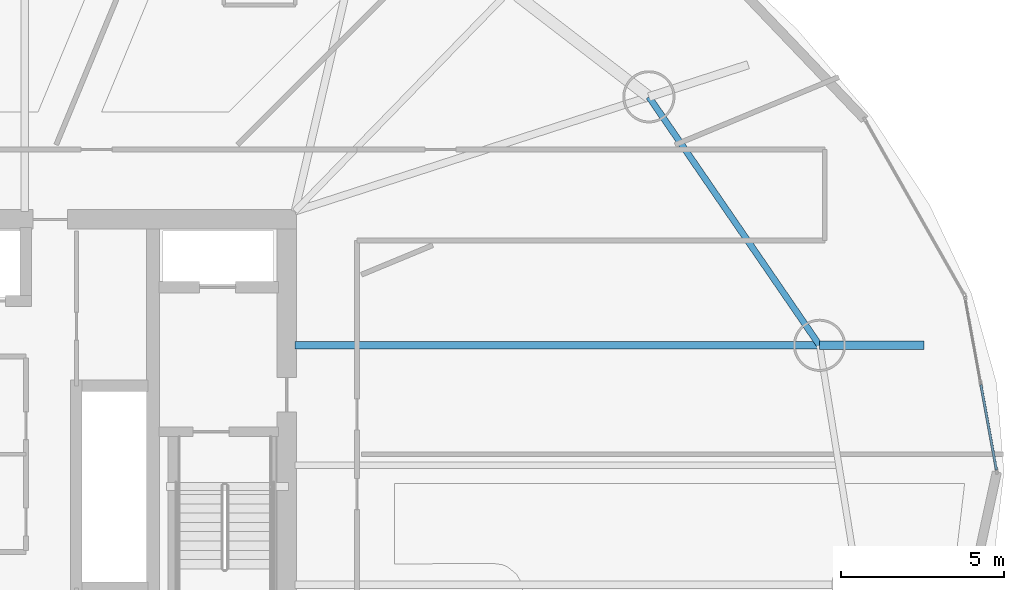
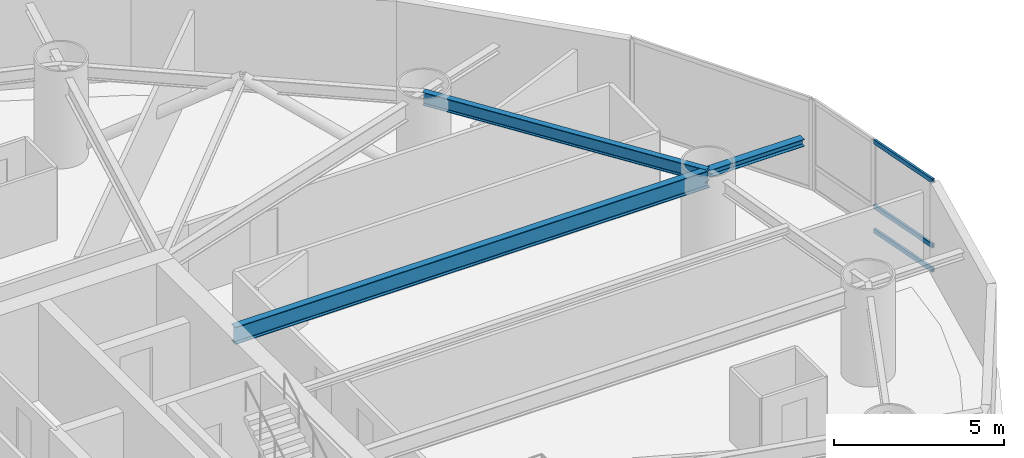
# One storey, part 12 of 27: 3 beams, 3 members, 1 element without a shape of its own.
"""IFC4 building model written with IfcOpenShell, lengths in metres."""

from ifc_helpers import new_model, si_unit, direction, frame, origin, origin_2d, place, context, subcontext, project, spatial, hollow_rectangle, i_section, extrude, material, layer, layer_set, material_profile, profile_set, type_object, element, aggregate, save


model = new_model("IFC4")

# Units and contexts
model_context = context("Model", 3, precision=1e-05, world=origin(), true_north=direction((0.0, 1.0)))
body_context = subcontext(model_context, "Body", "Model", "MODEL_VIEW")
ifc_project = project(units=[si_unit("LENGTHUNIT", "METRE"), si_unit("AREAUNIT", "SQUARE_METRE"), si_unit("VOLUMEUNIT", "CUBIC_METRE"), si_unit("PLANEANGLEUNIT", "RADIAN"), si_unit("MASSUNIT", "GRAM", prefix="KILO")], contexts=[model_context])

# Site, building, storey
site_placement = place(None, origin())
site = spatial("IfcSite", under=ifc_project, at=site_placement, CompositionType="ELEMENT")
building_placement = place(site_placement, origin())
building = spatial("IfcBuilding", under=site, at=building_placement, Name="Bramvorn Convention Spire", CompositionType="ELEMENT")
storey_placement = place(building_placement, frame((0.0, 0.0, 41.39990234375)))
storey = spatial("IfcBuildingStorey", under=building, at=storey_placement, Name="L07", CompositionType="ELEMENT", Elevation=41.39990234375)

# Beams
ifc_material_1 = material(Name="Steel CSA G40.21 Grade 350 (350W)", Category="steel")
ifc_material_profile_1 = material_profile(ifc_material_1, i_section(OverallWidth=0.25390625, OverallDepth=0.2529296875, WebThickness=0.008544921875, FlangeThickness=0.01416015625, FilletRadius=0.011962890625, at=origin_2d()))
ifc_profile_set_1 = profile_set([ifc_material_profile_1], Name="Steel CSA G40.21 Grade 350 (350W) - W250X73")
beam_type_1 = type_object("IfcBeamType", Name="BM-W250X73", PredefinedType="BEAM", material=ifc_profile_set_1)
beam_1_placement = place(storey_placement, frame((65.338623046875, 29.340087890625, 3.12353515625), z_axis=(1.0, 0.0, 0.0), x_axis=(0.0, 1.0, 0.0)))
element("IfcBeam", 1, at=beam_1_placement, inside=storey, type_object=beam_type_1, Name="L07 slab-edge cantilever tip beam MC02", PredefinedType="BEAM", context=body_context, shape_type="SweptSolid", body=[
    extrude(i_section(OverallWidth=0.25390625, OverallDepth=0.2529296875, WebThickness=0.008544921875, FlangeThickness=0.01416015625, FilletRadius=0.011962890625, at=origin_2d()), origin(), (0.0, 0.0, 1.0), 3.199951171875),
])
ifc_material_profile_2 = material_profile(ifc_material_1, i_section(OverallWidth=0.194091796875, OverallDepth=0.468994140625, WebThickness=0.0126953125, FlangeThickness=0.0205078125, FilletRadius=0.01806640625, at=origin_2d()))
ifc_profile_set_2 = profile_set([ifc_material_profile_2], Name="Steel CSA G40.21 Grade 350 (350W) - W460X106")
beam_type_2 = type_object("IfcBeamType", Name="BM-W460X106", PredefinedType="SPANDREL", material=ifc_profile_set_2)
beam_2_placement = place(storey_placement, frame((65.338623046875, 29.340087890625, 3.015625), z_axis=(-0.566129730789, 0.824316157743, 0.0), x_axis=(-0.824316157743, -0.566129730789, 0.0)))
element("IfcBeam", 2, at=beam_2_placement, inside=storey, type_object=beam_type_2, Name="L07 mega-column ring beam 02", PredefinedType="SPANDREL", context=body_context, shape_type="SweptSolid", body=[
    extrude(i_section(OverallWidth=0.194091796875, OverallDepth=0.468994140625, WebThickness=0.0126953125, FlangeThickness=0.0205078125, FilletRadius=0.01806640625, at=origin_2d()), origin(), (0.0, 0.0, 1.0), 9.244140625),
])
ifc_material_profile_3 = material_profile(ifc_material_1, i_section(OverallWidth=0.22998046875, OverallDepth=0.616943359375, WebThickness=0.01318359375, FlangeThickness=0.022216796875, FilletRadius=0.02001953125, at=origin_2d()))
ifc_profile_set_3 = profile_set([ifc_material_profile_3], Name="Steel CSA G40.21 Grade 350 (350W) - W610X140")
beam_type_3 = type_object("IfcBeamType", Name="BM-W610X140", PredefinedType="BEAM", material=ifc_profile_set_3)
beam_3_placement = place(storey_placement, frame((49.25, 29.340087890625, 2.941650390625), z_axis=(1.0, 0.0, 0.0), x_axis=(0.0, 1.0, 0.0)))
element("IfcBeam", 3, at=beam_3_placement, inside=storey, type_object=beam_type_3, Name="L07 radial floor girder MC02", PredefinedType="BEAM", context=body_context, shape_type="SweptSolid", body=[
    extrude(i_section(OverallWidth=0.22998046875, OverallDepth=0.616943359375, WebThickness=0.01318359375, FlangeThickness=0.022216796875, FilletRadius=0.02001953125, at=origin_2d()), origin(), (0.0, 0.0, 1.0), 16.088623046875),
])

# Curtain wall, members
ifc_material_2 = material(Name="Anodised Bronze Unitised Curtain Wall", Category="aluminium")
ifc_layer = layer(ifc_material_2, 0.179931640625)
ifc_layer_set = layer_set([ifc_layer], Name="Anodised Bronze Unitised Curtain Wall - CW-HTL-FRIT")
curtain_wall_type = type_object("IfcCurtainWallType", Name="CW-HTL-FRIT", PredefinedType="USERDEFINED", material=ifc_layer_set)
curtain_wall_placement = place(storey_placement, origin())
curtain_wall = element("IfcCurtainWall", 4, at=curtain_wall_placement, inside=storey, type_object=curtain_wall_type, Name="L07 fritted glass curtain wall 01", ObjectType="UNITISED CURTAIN WALL", PredefinedType="USERDEFINED")
ifc_material_3 = material(Name="Anodised Bronze Aluminium 6063-T6", Category="aluminium")
ifc_material_profile_4 = material_profile(ifc_material_3, hollow_rectangle(XDim=0.080078125, YDim=0.159912109375, WallThickness=0.00390625, InnerFilletRadius=0.0009765625, OuterFilletRadius=0.00390625, at=origin_2d()))
ifc_profile_set_4 = profile_set([ifc_material_profile_4], Name="Anodised Bronze Aluminium 6063-T6 - CWT80X160")
member_type = type_object("IfcMemberType", Name="CW-TRN-150", PredefinedType="USERDEFINED", material=ifc_profile_set_4)
member_1_placement = place(storey_placement, frame((70.28759765625, 28.131103515625, 0.030029296875), z_axis=(0.179434918258, -0.983769846107, 0.0), x_axis=(0.983769846107, 0.179434918258, 0.0)))
member_1 = element("IfcMember", 5, at=member_1_placement, type_object=member_type, Name="CW2 transom 2.1", ObjectType="TRANSOM", PredefinedType="USERDEFINED", context=body_context, shape_type="SweptSolid", body=[
    extrude(hollow_rectangle(XDim=0.080078125, YDim=0.159912109375, WallThickness=0.00390625, InnerFilletRadius=0.0009765625, OuterFilletRadius=0.00390625, at=origin_2d()), origin(), (0.0, 0.0, 1.0), 2.65869140625),
])
member_2_placement = place(storey_placement, frame((70.28759765625, 28.131103515625, 0.900146484375), z_axis=(0.179434918258, -0.983769846107, 0.0), x_axis=(0.983769846107, 0.179434918258, 0.0)))
member_2 = element("IfcMember", 6, at=member_2_placement, type_object=member_type, Name="CW2 transom 2.2", ObjectType="TRANSOM", PredefinedType="USERDEFINED", context=body_context, shape_type="SweptSolid", body=[
    extrude(hollow_rectangle(XDim=0.080078125, YDim=0.159912109375, WallThickness=0.00390625, InnerFilletRadius=0.0009765625, OuterFilletRadius=0.00390625, at=origin_2d()), origin(), (0.0, 0.0, 1.0), 2.65869140625),
])
member_3_placement = place(storey_placement, frame((70.28759765625, 28.131103515625, 3.22021484375), z_axis=(0.179434918258, -0.983769846107, 0.0), x_axis=(0.983769846107, 0.179434918258, 0.0)))
member_3 = element("IfcMember", 7, at=member_3_placement, type_object=member_type, Name="CW2 transom 2.3", ObjectType="TRANSOM", PredefinedType="USERDEFINED", context=body_context, shape_type="SweptSolid", body=[
    extrude(hollow_rectangle(XDim=0.080078125, YDim=0.159912109375, WallThickness=0.00390625, InnerFilletRadius=0.0009765625, OuterFilletRadius=0.00390625, at=origin_2d()), origin(), (0.0, 0.0, 1.0), 2.65869140625),
])
aggregate(curtain_wall, [member_1, member_2, member_3])

save(model, "model.ifc")
